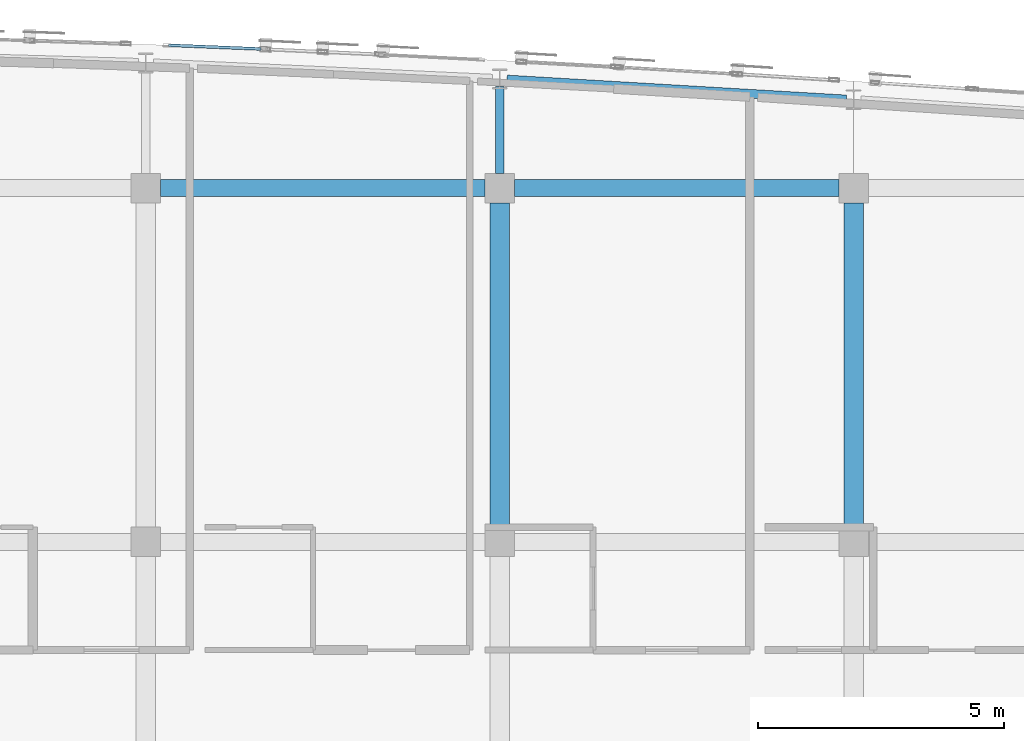
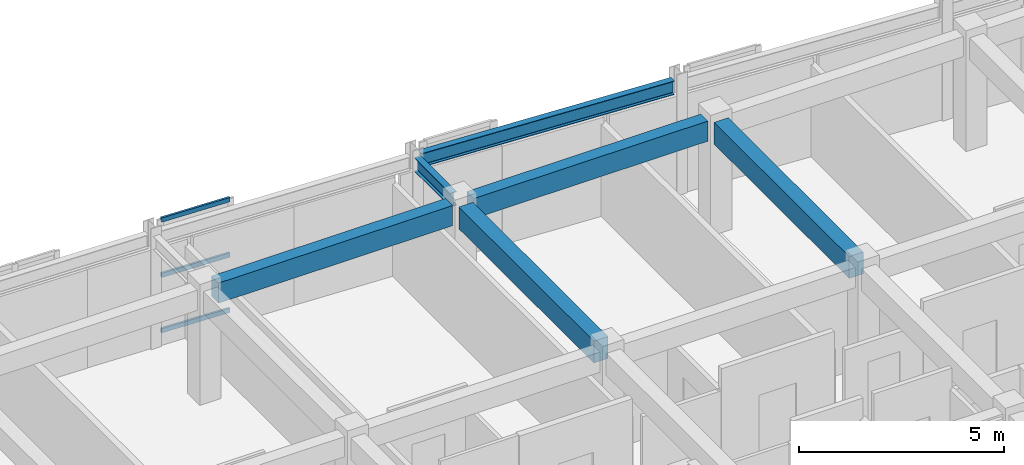
# One storey, part 20 of 51: 6 beams, 3 members, 1 element without a shape of its own.
"""IFC4 building model written with IfcOpenShell, lengths in metres."""

from ifc_helpers import new_model, si_unit, direction, frame, origin, origin_2d, place, context, subcontext, project, spatial, rectangle, hollow_rectangle, i_section, extrude, material, layer, layer_set, material_profile, profile_set, type_object, element, aggregate, save


model = new_model("IFC4")

# Units and contexts
model_context = context("Model", 3, precision=1e-05, world=origin(), true_north=direction((0.0, 1.0)))
body_context = subcontext(model_context, "Body", "Model", "MODEL_VIEW")
ifc_project = project(units=[si_unit("LENGTHUNIT", "METRE"), si_unit("AREAUNIT", "SQUARE_METRE"), si_unit("VOLUMEUNIT", "CUBIC_METRE"), si_unit("PLANEANGLEUNIT", "RADIAN"), si_unit("MASSUNIT", "GRAM", prefix="KILO")], contexts=[model_context])

# Site, building, storey
site_placement = place(None, origin())
site = spatial("IfcSite", under=ifc_project, at=site_placement, CompositionType="ELEMENT")
building_placement = place(site_placement, origin())
building = spatial("IfcBuilding", under=site, at=building_placement, Name="Carrowvane Square Congress Hotel", CompositionType="ELEMENT")
storey_placement = place(building_placement, frame((0.0, 0.0, 30.0)))
storey = spatial("IfcBuildingStorey", under=building, at=storey_placement, Name="L07", CompositionType="ELEMENT", Elevation=30.0)

# Beams
ifc_material_1 = material(Name="Concrete C35/45", Category="concrete")
ifc_material_profile_1 = material_profile(ifc_material_1, rectangle(XDim=0.35009765625, YDim=0.60009765625, at=origin_2d()), Name="RC 350x600")
ifc_profile_set_1 = profile_set([ifc_material_profile_1], Name="Concrete C35/45")
beam_type_1 = type_object("IfcBeamType", Name="BM-RC-350x600", PredefinedType="BEAM", material=ifc_profile_set_1)
for number, where, z_axis, x_axis, name in (
    (1, (112.699951171875, 113.39990234375, 3.06005859375), (1.0, 0.0, 0.0), (0.0, 1.0, 0.0), "L08 girder R/15-16"),
    (2, (119.89990234375, 113.39990234375, 3.06005859375), (1.0, 0.0, 0.0), (0.0, 1.0, 0.0), "L08 girder R/16-17"),
):
    element("IfcBeam", number, at=place(storey_placement, frame(where, z_axis=z_axis, x_axis=x_axis)), inside=storey, type_object=beam_type_1, Name=name, PredefinedType="BEAM", context=body_context, shape_type="SweptSolid", body=[
        extrude(rectangle(XDim=0.35009765625, YDim=0.60009765625, at=origin_2d()), origin(), (0.0, 0.0, 1.0), 6.60009765625),
    ])
ifc_material_2 = material(Name="Concrete C35/45", Category="concrete")
ifc_material_profile_2 = material_profile(ifc_material_2, rectangle(XDim=0.39990234375, YDim=0.64990234375, at=origin_2d()), Name="RC 400x650")
ifc_profile_set_2 = profile_set([ifc_material_profile_2], Name="Concrete C35/45")
beam_type_2 = type_object("IfcBeamType", Name="BM-RC-400x650", PredefinedType="BEAM", material=ifc_profile_set_2)
for number, where, z_axis, x_axis, name in (
    (3, (119.60009765625, 106.5, 3.034912109375), (0.0, 1.0, 0.0), (-1.0, 0.0, 0.0), "L08 girder 16/Q-R"),
    (4, (126.800048828125, 106.5, 3.034912109375), (0.0, 1.0, 0.0), (-1.0, 0.0, 0.0), "L08 girder 17/Q-R"),
):
    element("IfcBeam", number, at=place(storey_placement, frame(where, z_axis=z_axis, x_axis=x_axis)), inside=storey, type_object=beam_type_2, Name=name, PredefinedType="BEAM", context=body_context, shape_type="SweptSolid", body=[
        extrude(rectangle(XDim=0.39990234375, YDim=0.64990234375, at=origin_2d()), origin(), (0.0, 0.0, 1.0), 6.60009765625),
    ])
ifc_material_3 = material(Name="Steel S355", Category="steel")
ifc_material_profile_3 = material_profile(ifc_material_3, i_section(OverallWidth=0.1787109375, OverallDepth=0.409423828125, WebThickness=0.0087890625, FlangeThickness=0.014404296875, FilletRadius=0.01025390625, at=origin_2d()), Name="UKB 406x178x67")
ifc_profile_set_3 = profile_set([ifc_material_profile_3], Name="Steel S355")
beam_type_3 = type_object("IfcBeamType", Name="BM-ST-UKB406", PredefinedType="BEAM", material=ifc_profile_set_3)
beam_1_placement = place(storey_placement, frame((119.749755859375, 115.60888671875, 3.1552734375), z_axis=(0.99827559088, -0.058701317296, 0.0), x_axis=(0.058701317296, 0.99827559088, 0.0)))
element("IfcBeam", 5, at=beam_1_placement, inside=storey, type_object=beam_type_3, Name="L08 curved north spandrel", PredefinedType="BEAM", context=body_context, shape_type="SweptSolid", body=[
    extrude(i_section(OverallWidth=0.1787109375, OverallDepth=0.409423828125, WebThickness=0.0087890625, FlangeThickness=0.014404296875, FilletRadius=0.01025390625, at=origin_2d()), origin(), (0.0, 0.0, 1.0), 6.912353515625),
])
beam_2_placement = place(storey_placement, frame((119.60009765625, 113.699951171875, 3.1552734375), z_axis=(0.0, 1.0, 0.0), x_axis=(-1.0, 0.0, 0.0)))
element("IfcBeam", 6, at=beam_2_placement, inside=storey, type_object=beam_type_3, Name="L08 radial north beam 16", PredefinedType="BEAM", context=body_context, shape_type="SweptSolid", body=[
    extrude(i_section(OverallWidth=0.1787109375, OverallDepth=0.409423828125, WebThickness=0.0087890625, FlangeThickness=0.014404296875, FilletRadius=0.01025390625, at=origin_2d()), origin(), (0.0, 0.0, 1.0), 1.767578125),
])

# Curtain wall, members
ifc_material_4 = material(Name="Anodised aluminium", Category="aluminium")
ifc_layer = layer(ifc_material_4, 0.23388671875)
ifc_layer_set = layer_set([ifc_layer], Name="Anodised aluminium")
curtain_wall_type = type_object("IfcCurtainWallType", Name="CW-SYS-7", PredefinedType="NOTDEFINED", material=ifc_layer_set)
curtain_wall_placement = place(storey_placement, origin())
curtain_wall = element("IfcCurtainWall", 7, at=curtain_wall_placement, inside=storey, type_object=curtain_wall_type, Name="L07 unitised curtain wall 438", PredefinedType="NOTDEFINED")
ifc_material_5 = material(Name="Anodised aluminium", Category="aluminium")
ifc_material_profile_4 = material_profile(ifc_material_5, hollow_rectangle(XDim=0.06005859375, YDim=0.1298828125, WallThickness=0.00390625, at=origin_2d()), Name="CW-TR 60x130x4")
ifc_profile_set_4 = profile_set([ifc_material_profile_4], Name="Anodised aluminium")
member_type = type_object("IfcMemberType", Name="CW-TRN-1", PredefinedType="USERDEFINED", material=ifc_profile_set_4)
member_1_placement = place(storey_placement, frame((112.85888671875, 116.3056640625, 0.030029296875), z_axis=(0.999191609431, -0.040201090061, 0.0), x_axis=(0.040201090061, 0.999191609431, 0.0)))
member_1 = element("IfcMember", 8, at=member_1_placement, type_object=member_type, Name="CW-7 transom 1.1", ObjectType="TRANSOM", PredefinedType="USERDEFINED", context=body_context, shape_type="SweptSolid", body=[
    extrude(hollow_rectangle(XDim=0.06005859375, YDim=0.1298828125, WallThickness=0.00390625, at=origin_2d()), origin(), (0.0, 0.0, 1.0), 1.882568359375),
])
member_2_placement = place(storey_placement, frame((112.85888671875, 116.3056640625, 1.679931640625), z_axis=(0.999191609431, -0.040201090061, 0.0), x_axis=(0.040201090061, 0.999191609431, 0.0)))
member_2 = element("IfcMember", 9, at=member_2_placement, type_object=member_type, Name="CW-7 transom 1.2", ObjectType="TRANSOM", PredefinedType="USERDEFINED", context=body_context, shape_type="SweptSolid", body=[
    extrude(hollow_rectangle(XDim=0.06005859375, YDim=0.1298828125, WallThickness=0.00390625, at=origin_2d()), origin(), (0.0, 0.0, 1.0), 1.882568359375),
])
member_3_placement = place(storey_placement, frame((112.85888671875, 116.3056640625, 3.330078125), z_axis=(0.999191609431, -0.040201090061, 0.0), x_axis=(0.040201090061, 0.999191609431, 0.0)))
member_3 = element("IfcMember", 10, at=member_3_placement, type_object=member_type, Name="CW-7 transom 1.3", ObjectType="TRANSOM", PredefinedType="USERDEFINED", context=body_context, shape_type="SweptSolid", body=[
    extrude(hollow_rectangle(XDim=0.06005859375, YDim=0.1298828125, WallThickness=0.00390625, at=origin_2d()), origin(), (0.0, 0.0, 1.0), 1.882568359375),
])
aggregate(curtain_wall, [member_1, member_2, member_3])

save(model, "model.ifc")
